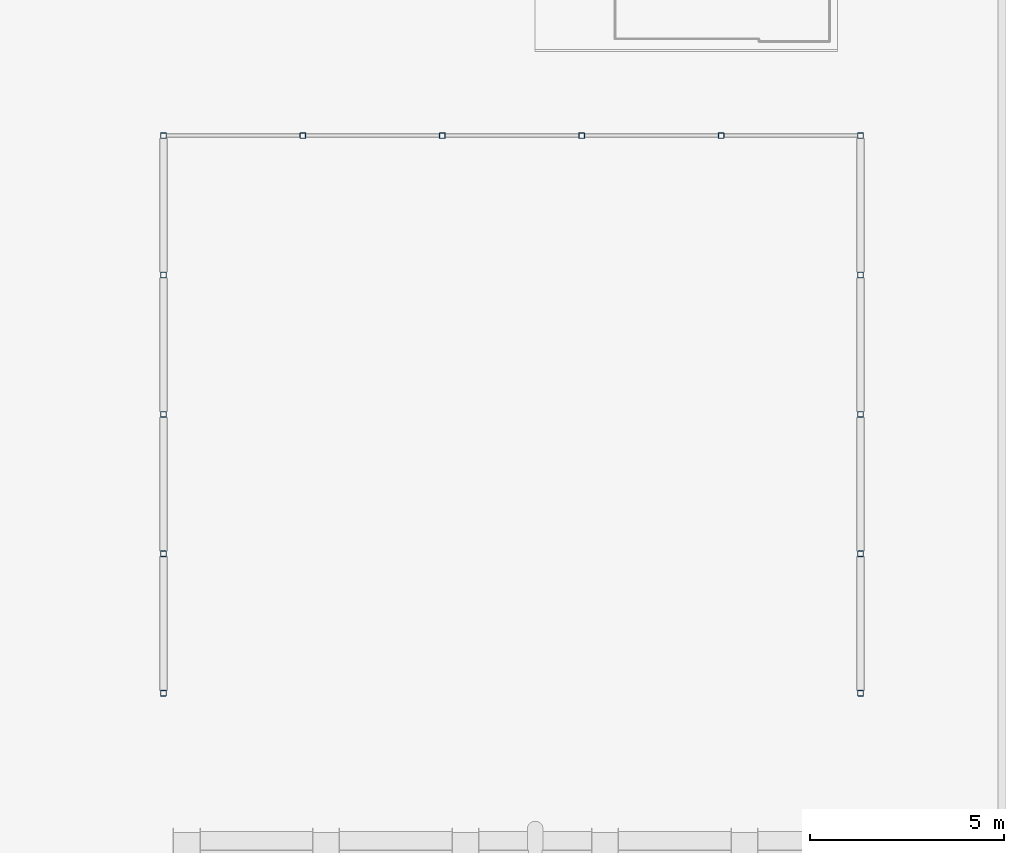
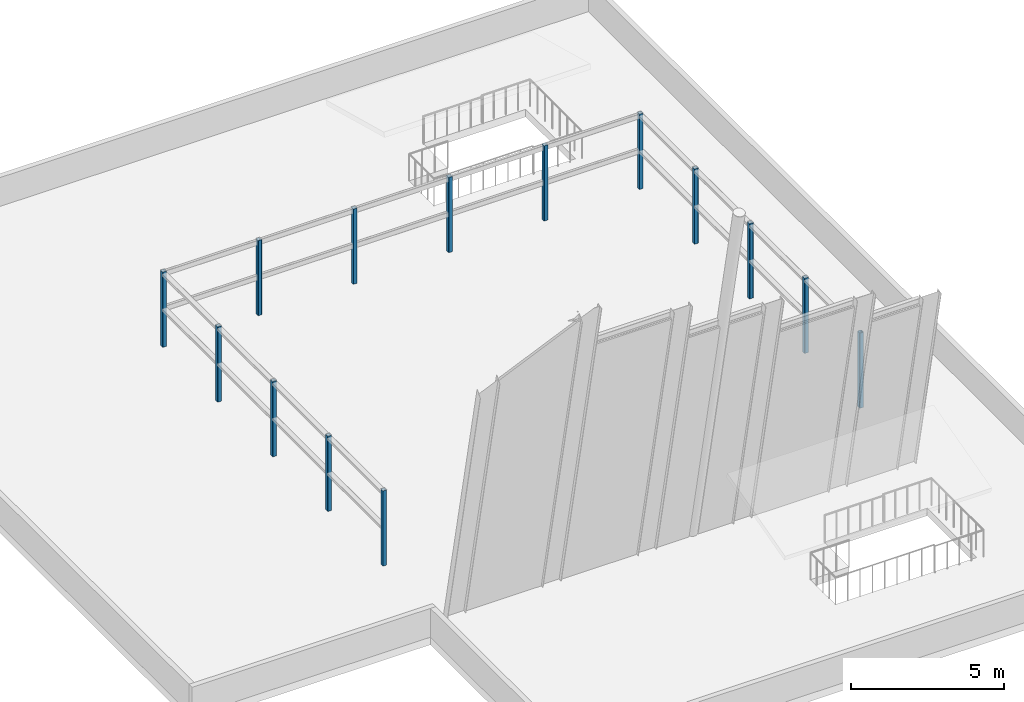
# One storey, part 1 of 5: 14 columns.
"""IFC4 building model written with IfcOpenShell, lengths in metres."""

from ifc_helpers import new_model, si_unit, direction, frame, origin, origin_2d, place, context, subcontext, project, spatial, hollow_rectangle, extrude, material, material_profile, profile_set, type_object, element, save


model = new_model("IFC4")

# Units and contexts
model_context = context("Model", 3, precision=1e-05, world=origin(), true_north=direction((0.0, 1.0)))
body_context = subcontext(model_context, "Body", "Model", "MODEL_VIEW")
ifc_project = project(units=[si_unit("LENGTHUNIT", "METRE"), si_unit("AREAUNIT", "SQUARE_METRE"), si_unit("VOLUMEUNIT", "CUBIC_METRE"), si_unit("PLANEANGLEUNIT", "RADIAN"), si_unit("MASSUNIT", "GRAM", prefix="KILO")], contexts=[model_context])

# Site, building, storey
site_placement = place(None, origin())
site = spatial("IfcSite", under=ifc_project, at=site_placement, CompositionType="ELEMENT")
building_placement = place(site_placement, origin())
building = spatial("IfcBuilding", under=site, at=building_placement, Name="Tuart Plaza Theatre", CompositionType="ELEMENT")
storey_placement = place(building_placement, frame((0.0, 0.0, 70.5)))
storey = spatial("IfcBuildingStorey", under=building, at=storey_placement, Name="ROOF", CompositionType="ELEMENT", Elevation=70.5)

# Columns
ifc_material = material(Name="Steel Grade C350L0", Category="steel")
ifc_material_profile = material_profile(ifc_material, hollow_rectangle(XDim=0.14990234375, YDim=0.14990234375, WallThickness=0.009033203125, InnerFilletRadius=0.009033203125, OuterFilletRadius=0.01806640625, at=origin_2d()), Name="150x150x9 SHS")
ifc_profile_set = profile_set([ifc_material_profile], Name="Steel Grade C350L0")
column_type = type_object("IfcColumnType", Name="COLUMN 150x150x9 SHS", PredefinedType="COLUMN", material=ifc_profile_set)
for number, where, z_axis, x_axis, name in (
    (1, (141.0, 68.60009765625, 0.0), (0.0, 0.0, 1.0), (1.0, 0.0, 0.0), "SC34"),
    (2, (141.0, 72.199951171875, 0.0), (0.0, 0.0, 1.0), (1.0, 0.0, 0.0), "SC35"),
    (3, (141.0, 75.800048828125, 0.0), (0.0, 0.0, 1.0), (1.0, 0.0, 0.0), "SC36"),
    (4, (141.0, 79.39990234375, 0.0), (0.0, 0.0, 1.0), (1.0, 0.0, 0.0), "SC37"),
    (5, (141.0, 83.0, 0.0), (0.0, 0.0, 1.0), (1.0, 0.0, 0.0), "SC38"),
    (6, (137.39990234375, 83.0, 0.0), (0.0, 0.0, 1.0), (1.0, 0.0, 0.0), "SC39"),
    (7, (133.800048828125, 83.0, 0.0), (0.0, 0.0, 1.0), (1.0, 0.0, 0.0), "SC40"),
    (8, (130.199951171875, 83.0, 0.0), (0.0, 0.0, 1.0), (1.0, 0.0, 0.0), "SC41"),
    (9, (126.60009765625, 83.0, 0.0), (0.0, 0.0, 1.0), (1.0, 0.0, 0.0), "SC42"),
    (10, (123.0, 83.0, 0.0), (0.0, 0.0, 1.0), (1.0, 0.0, 0.0), "SC43"),
    (11, (123.0, 79.39990234375, 0.0), (0.0, 0.0, 1.0), (1.0, 0.0, 0.0), "SC44"),
    (12, (123.0, 75.800048828125, 0.0), (0.0, 0.0, 1.0), (1.0, 0.0, 0.0), "SC45"),
    (13, (123.0, 72.199951171875, 0.0), (0.0, 0.0, 1.0), (1.0, 0.0, 0.0), "SC46"),
    (14, (123.0, 68.60009765625, 0.0), (0.0, 0.0, 1.0), (1.0, 0.0, 0.0), "SC47"),
):
    element("IfcColumn", number, at=place(storey_placement, frame(where, z_axis=z_axis, x_axis=x_axis)), inside=storey, type_object=column_type, Name=name, PredefinedType="COLUMN", context=body_context, shape_type="SweptSolid", body=[
        extrude(hollow_rectangle(XDim=0.14990234375, YDim=0.14990234375, WallThickness=0.009033203125, InnerFilletRadius=0.009033203125, OuterFilletRadius=0.01806640625, at=origin_2d()), origin(), (0.0, 0.0, 1.0), 3.0),
    ])

save(model, "model.ifc")
